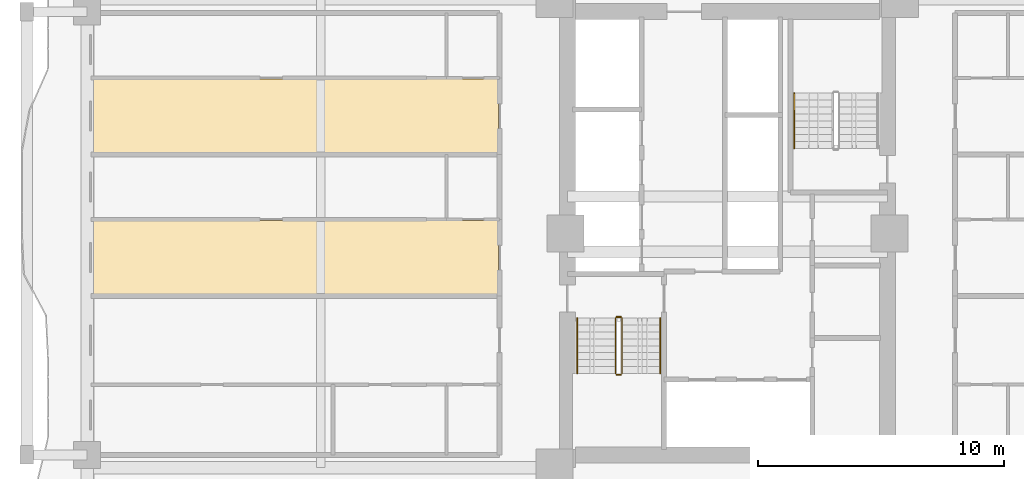
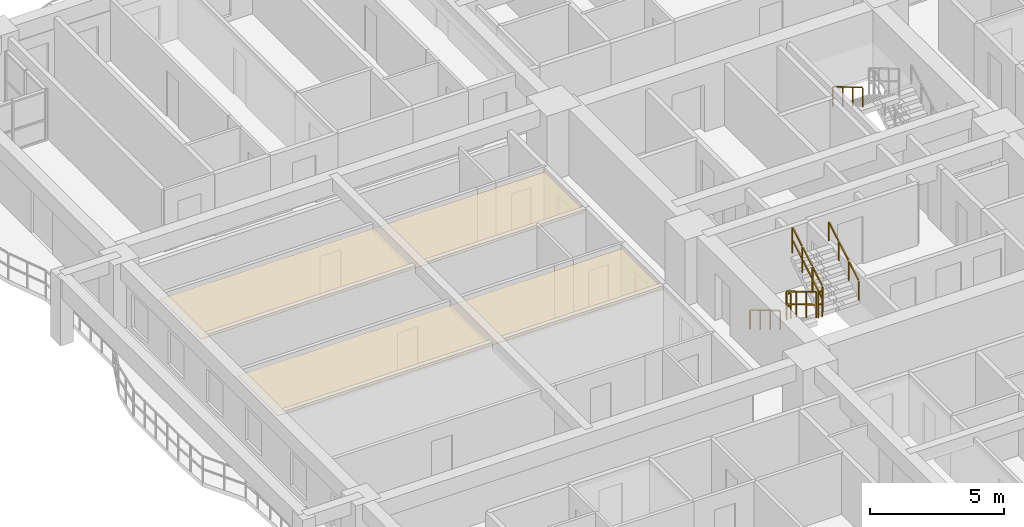
# One storey, part 25 of 28: 7 railings, 2 coverings.
"""IFC4 building model written with IfcOpenShell, lengths in metres."""

from ifc_helpers import new_model, si_unit, direction, frame, origin, origin_2d, place, context, subcontext, project, spatial, polyline, rectangle, outline, extrude, material, layer, layer_set, type_object, element, save


model = new_model("IFC4")

# Units and contexts
model_context = context("Model", 3, precision=1e-05, world=origin(), true_north=direction((0.0, 1.0)))
body_context = subcontext(model_context, "Body", "Model", "MODEL_VIEW")
ifc_project = project(units=[si_unit("LENGTHUNIT", "METRE"), si_unit("AREAUNIT", "SQUARE_METRE"), si_unit("VOLUMEUNIT", "CUBIC_METRE"), si_unit("PLANEANGLEUNIT", "RADIAN"), si_unit("MASSUNIT", "GRAM", prefix="KILO")], contexts=[model_context])

# Site, building, storey
site_placement = place(None, origin())
site = spatial("IfcSite", under=ifc_project, at=site_placement, CompositionType="ELEMENT")
building_placement = place(site_placement, origin())
building = spatial("IfcBuilding", under=site, at=building_placement, Name="Saelheon Loggia Tower", CompositionType="ELEMENT")
storey_placement = place(building_placement, frame((0.0, 0.0, 61.39990234375)))
storey = spatial("IfcBuildingStorey", under=building, at=storey_placement, Name="L19", CompositionType="ELEMENT", Elevation=61.39990234375)

# Coverings
ifc_material_1 = material(Name="Mineral-Fibre Acoustic Ceiling Board", Category="gypsum")
ifc_layer = layer(ifc_material_1, 0.02490234375)
ifc_layer_set = layer_set([ifc_layer], Name="Mineral-Fibre Acoustic Ceiling Board")
covering_type = type_object("IfcCoveringType", Name="Cov_Ceiling_Acoustic", PredefinedType="CEILING", material=ifc_layer_set)
covering_1_placement = place(storey_placement, frame((0.0, 0.0, 2.53515625)))
element("IfcCovering", 1, at=covering_1_placement, inside=storey, type_object=covering_type, Name="L19 Acoustic Suspended Ceiling", PredefinedType="CEILING", context=body_context, shape_type="SweptSolid", body=[
    extrude(outline(polyline([(12.199951171875, 24.511962890625), (28.699951171875, 24.511962890625), (28.699951171875, 27.513916015625), (12.199951171875, 27.513916015625), (12.199951171875, 24.511962890625)])), origin(), (0.0, 0.0, 1.0), 0.02490234375),
])
covering_2_placement = place(storey_placement, frame((0.0, 0.0, 2.53515625)))
element("IfcCovering", 2, at=covering_2_placement, inside=storey, type_object=covering_type, Name="L19 Acoustic Suspended Ceiling", PredefinedType="CEILING", context=body_context, shape_type="SweptSolid", body=[
    extrude(outline(polyline([(12.199951171875, 30.256103515625), (28.699951171875, 30.256103515625), (28.699951171875, 33.2578125), (12.199951171875, 33.2578125), (12.199951171875, 30.256103515625)])), origin(), (0.0, 0.0, 1.0), 0.02490234375),
])

# Railings
ifc_material_2 = material(Name="Galvanised Steel S275 Stairwell Guardrail", Category="steel")
railing_type_1 = type_object("IfcRailingType", Name="Guard_StairWell_RL_STG", PredefinedType="GUARDRAIL", material=ifc_material_2)
railing_1_placement = place(storey_placement, frame((33.4599609375, 23.550048828125, 0.166748046875)))
element("IfcRailing", 3, at=railing_1_placement, inside=storey, type_object=railing_type_1, Name="L19 ST1 stair guard 1", PredefinedType="GUARDRAIL", context=body_context, shape_type="SweptSolid", body=[
    extrude(rectangle(XDim=0.048095703125, YDim=0.048095703125, at=origin_2d()), frame((0.0, -0.028564453125, 1.19287109375), z_axis=(0.0, -0.859305625298, 0.511462454469), x_axis=(1.0, 0.0, 0.0)), (0.0, 0.0, 1.0), 0.802490234375),
    extrude(rectangle(XDim=0.048095703125, YDim=0.048095703125, at=origin_2d()), frame((0.0, -0.028564453125, 0.616943359375), z_axis=(0.0, -0.859305625298, 0.511462454469), x_axis=(1.0, 0.0, 0.0)), (0.0, 0.0, 1.0), 0.802490234375),
    extrude(rectangle(XDim=0.048095703125, YDim=0.048095703125, at=origin_2d()), frame((0.0, -0.775146484375, 1.63720703125), z_axis=(0.0, -0.859305625298, 0.511462454469), x_axis=(1.0, 0.0, 0.0)), (0.0, 0.0, 1.0), 0.802490234375),
    extrude(rectangle(XDim=0.048095703125, YDim=0.048095703125, at=origin_2d()), frame((0.0, -0.775146484375, 1.061279296875), z_axis=(0.0, -0.859305625298, 0.511462454469), x_axis=(1.0, 0.0, 0.0)), (0.0, 0.0, 1.0), 0.802490234375),
    extrude(rectangle(XDim=0.048095703125, YDim=0.048095703125, at=origin_2d()), frame((0.0, -1.52197265625, 2.081787109375), z_axis=(0.0, -0.859305625298, 0.511462454469), x_axis=(1.0, 0.0, 0.0)), (0.0, 0.0, 1.0), 0.802490234375),
    extrude(rectangle(XDim=0.048095703125, YDim=0.048095703125, at=origin_2d()), frame((0.0, -1.52197265625, 1.505859375), z_axis=(0.0, -0.859305625298, 0.511462454469), x_axis=(1.0, 0.0, 0.0)), (0.0, 0.0, 1.0), 0.802490234375),
    extrude(rectangle(XDim=0.0419921875, YDim=0.0419921875, at=origin_2d()), origin(), (0.0, 0.0, 1.0), 1.14794921875),
    extrude(rectangle(XDim=0.0419921875, YDim=0.0419921875, at=origin_2d()), frame((0.0, -0.74658203125, 0.4443359375)), (0.0, 0.0, 1.0), 1.14794921875),
    extrude(rectangle(XDim=0.0419921875, YDim=0.0419921875, at=origin_2d()), frame((0.0, -1.493408203125, 0.888916015625)), (0.0, 0.0, 1.0), 1.14794921875),
    extrude(rectangle(XDim=0.0419921875, YDim=0.0419921875, at=origin_2d()), frame((0.0, -2.239990234375, 1.333251953125)), (0.0, 0.0, 1.0), 1.14794921875),
])
railing_2_placement = place(storey_placement, frame((33.510009765625, 21.260009765625, 1.5)))
element("IfcRailing", 4, at=railing_2_placement, inside=storey, type_object=railing_type_1, Name="L19 ST1 stair guard 2", PredefinedType="GUARDRAIL", context=body_context, shape_type="SweptSolid", body=[
    extrude(rectangle(XDim=0.048095703125, YDim=0.048095703125, at=origin_2d()), frame((0.033203125, 0.0, 1.17578125), z_axis=(1.0, 0.0, 0.0), x_axis=(0.0, 1.0, 0.0)), (0.0, 0.0, 1.0), 0.093505859375),
    extrude(rectangle(XDim=0.048095703125, YDim=0.048095703125, at=origin_2d()), frame((0.033203125, 0.0, 0.60009765625), z_axis=(1.0, 0.0, 0.0), x_axis=(0.0, 1.0, 0.0)), (0.0, 0.0, 1.0), 0.093505859375),
    extrude(rectangle(XDim=0.0419921875, YDim=0.0419921875, at=origin_2d()), origin(), (0.0, 0.0, 1.0), 1.14794921875),
    extrude(rectangle(XDim=0.0419921875, YDim=0.0419921875, at=origin_2d()), frame((0.159912109375, 0.0, 0.0)), (0.0, 0.0, 1.0), 1.14794921875),
])
railing_3_placement = place(storey_placement, frame((33.719970703125, 21.31005859375, 1.666748046875)))
element("IfcRailing", 5, at=railing_3_placement, inside=storey, type_object=railing_type_1, Name="L19 ST1 stair guard 3", PredefinedType="GUARDRAIL", context=body_context, shape_type="SweptSolid", body=[
    extrude(rectangle(XDim=0.048095703125, YDim=0.048095703125, at=origin_2d()), frame((0.0, 0.028564453125, 1.19287109375), z_axis=(0.0, 0.859305625298, 0.511462454469), x_axis=(-1.0, 0.0, 0.0)), (0.0, 0.0, 1.0), 0.802490234375),
    extrude(rectangle(XDim=0.048095703125, YDim=0.048095703125, at=origin_2d()), frame((0.0, 0.028564453125, 0.616943359375), z_axis=(0.0, 0.859305625298, 0.511462454469), x_axis=(-1.0, 0.0, 0.0)), (0.0, 0.0, 1.0), 0.802490234375),
    extrude(rectangle(XDim=0.048095703125, YDim=0.048095703125, at=origin_2d()), frame((0.0, 0.775146484375, 1.63720703125), z_axis=(0.0, 0.859305625298, 0.511462454469), x_axis=(-1.0, 0.0, 0.0)), (0.0, 0.0, 1.0), 0.802490234375),
    extrude(rectangle(XDim=0.048095703125, YDim=0.048095703125, at=origin_2d()), frame((0.0, 0.775146484375, 1.061279296875), z_axis=(0.0, 0.859305625298, 0.511462454469), x_axis=(-1.0, 0.0, 0.0)), (0.0, 0.0, 1.0), 0.802490234375),
    extrude(rectangle(XDim=0.048095703125, YDim=0.048095703125, at=origin_2d()), frame((0.0, 1.52197265625, 2.081787109375), z_axis=(0.0, 0.859305625298, 0.511462454469), x_axis=(-1.0, 0.0, 0.0)), (0.0, 0.0, 1.0), 0.802490234375),
    extrude(rectangle(XDim=0.048095703125, YDim=0.048095703125, at=origin_2d()), frame((0.0, 1.52197265625, 1.505859375), z_axis=(0.0, 0.859305625298, 0.511462454469), x_axis=(-1.0, 0.0, 0.0)), (0.0, 0.0, 1.0), 0.802490234375),
    extrude(rectangle(XDim=0.0419921875, YDim=0.0419921875, at=origin_2d()), origin(), (0.0, 0.0, 1.0), 1.14794921875),
    extrude(rectangle(XDim=0.0419921875, YDim=0.0419921875, at=origin_2d()), frame((0.0, 0.74658203125, 0.4443359375)), (0.0, 0.0, 1.0), 1.14794921875),
    extrude(rectangle(XDim=0.0419921875, YDim=0.0419921875, at=origin_2d()), frame((0.0, 1.493408203125, 0.888916015625)), (0.0, 0.0, 1.0), 1.14794921875),
    extrude(rectangle(XDim=0.0419921875, YDim=0.0419921875, at=origin_2d()), frame((0.0, 2.239990234375, 1.333251953125)), (0.0, 0.0, 1.0), 1.14794921875),
])
railing_4_placement = place(storey_placement, frame((33.510009765625, 23.60009765625, 0.0)))
element("IfcRailing", 6, at=railing_4_placement, inside=storey, type_object=railing_type_1, Name="L19 ST1 stair guard 4", PredefinedType="GUARDRAIL", context=body_context, shape_type="SweptSolid", body=[
    extrude(rectangle(XDim=0.048095703125, YDim=0.048095703125, at=origin_2d()), frame((0.033203125, 0.0, 1.17578125), z_axis=(1.0, 0.0, 0.0), x_axis=(0.0, 1.0, 0.0)), (0.0, 0.0, 1.0), 0.093505859375),
    extrude(rectangle(XDim=0.048095703125, YDim=0.048095703125, at=origin_2d()), frame((0.033203125, 0.0, 0.60009765625), z_axis=(1.0, 0.0, 0.0), x_axis=(0.0, 1.0, 0.0)), (0.0, 0.0, 1.0), 0.093505859375),
    extrude(rectangle(XDim=0.0419921875, YDim=0.0419921875, at=origin_2d()), origin(), (0.0, 0.0, 1.0), 1.14794921875),
    extrude(rectangle(XDim=0.0419921875, YDim=0.0419921875, at=origin_2d()), frame((0.159912109375, 0.0, 0.0)), (0.0, 0.0, 1.0), 1.14794921875),
])
ifc_material_3 = material(Name="Stainless Steel 304 Tubular Handrail", Category="steel")
railing_type_2 = type_object("IfcRailingType", Name="Handrail_Stair_RL_HR1", PredefinedType="HANDRAIL", material=ifc_material_3)
railing_5_placement = place(storey_placement, frame((31.89990234375, 23.550048828125, 0.166748046875)))
element("IfcRailing", 7, at=railing_5_placement, inside=storey, type_object=railing_type_2, Name="L19 ST1 stair handrail 1", PredefinedType="HANDRAIL", context=body_context, shape_type="SweptSolid", body=[
    extrude(rectangle(XDim=0.048095703125, YDim=0.048095703125, at=origin_2d()), frame((0.0, -0.028564453125, 0.892822265625), z_axis=(0.0, -0.859305625298, 0.511462454469), x_axis=(1.0, 0.0, 0.0)), (0.0, 0.0, 1.0), 0.802490234375),
    extrude(rectangle(XDim=0.048095703125, YDim=0.048095703125, at=origin_2d()), frame((0.0, -0.775146484375, 1.337158203125), z_axis=(0.0, -0.859305625298, 0.511462454469), x_axis=(1.0, 0.0, 0.0)), (0.0, 0.0, 1.0), 0.802490234375),
    extrude(rectangle(XDim=0.048095703125, YDim=0.048095703125, at=origin_2d()), frame((0.0, -1.52197265625, 1.78173828125), z_axis=(0.0, -0.859305625298, 0.511462454469), x_axis=(1.0, 0.0, 0.0)), (0.0, 0.0, 1.0), 0.802490234375),
    extrude(rectangle(XDim=0.0419921875, YDim=0.0419921875, at=origin_2d()), origin(), (0.0, 0.0, 1.0), 0.847900390625),
    extrude(rectangle(XDim=0.0419921875, YDim=0.0419921875, at=origin_2d()), frame((0.0, -0.74658203125, 0.4443359375)), (0.0, 0.0, 1.0), 0.847900390625),
    extrude(rectangle(XDim=0.0419921875, YDim=0.0419921875, at=origin_2d()), frame((0.0, -1.493408203125, 0.888916015625)), (0.0, 0.0, 1.0), 0.847900390625),
    extrude(rectangle(XDim=0.0419921875, YDim=0.0419921875, at=origin_2d()), frame((0.0, -2.239990234375, 1.333251953125)), (0.0, 0.0, 1.0), 0.847900390625),
])
railing_6_placement = place(storey_placement, frame((35.280029296875, 21.31005859375, 1.666748046875)))
element("IfcRailing", 8, at=railing_6_placement, inside=storey, type_object=railing_type_2, Name="L19 ST1 stair handrail 2", PredefinedType="HANDRAIL", context=body_context, shape_type="SweptSolid", body=[
    extrude(rectangle(XDim=0.048095703125, YDim=0.048095703125, at=origin_2d()), frame((0.0, 0.028564453125, 0.892822265625), z_axis=(0.0, 0.859305625298, 0.511462454469), x_axis=(-1.0, 0.0, 0.0)), (0.0, 0.0, 1.0), 0.802490234375),
    extrude(rectangle(XDim=0.048095703125, YDim=0.048095703125, at=origin_2d()), frame((0.0, 0.775146484375, 1.337158203125), z_axis=(0.0, 0.859305625298, 0.511462454469), x_axis=(-1.0, 0.0, 0.0)), (0.0, 0.0, 1.0), 0.802490234375),
    extrude(rectangle(XDim=0.048095703125, YDim=0.048095703125, at=origin_2d()), frame((0.0, 1.52197265625, 1.78173828125), z_axis=(0.0, 0.859305625298, 0.511462454469), x_axis=(-1.0, 0.0, 0.0)), (0.0, 0.0, 1.0), 0.802490234375),
    extrude(rectangle(XDim=0.0419921875, YDim=0.0419921875, at=origin_2d()), origin(), (0.0, 0.0, 1.0), 0.847900390625),
    extrude(rectangle(XDim=0.0419921875, YDim=0.0419921875, at=origin_2d()), frame((0.0, 0.74658203125, 0.4443359375)), (0.0, 0.0, 1.0), 0.847900390625),
    extrude(rectangle(XDim=0.0419921875, YDim=0.0419921875, at=origin_2d()), frame((0.0, 1.493408203125, 0.888916015625)), (0.0, 0.0, 1.0), 0.847900390625),
    extrude(rectangle(XDim=0.0419921875, YDim=0.0419921875, at=origin_2d()), frame((0.0, 2.239990234375, 1.333251953125)), (0.0, 0.0, 1.0), 0.847900390625),
])
railing_7_placement = place(storey_placement, frame((40.719970703125, 32.68994140625, 1.666748046875)))
element("IfcRailing", 9, at=railing_7_placement, inside=storey, type_object=railing_type_2, Name="L19 ST2 stair handrail 2", PredefinedType="HANDRAIL", context=body_context, shape_type="SweptSolid", body=[
    extrude(rectangle(XDim=0.048095703125, YDim=0.048095703125, at=origin_2d()), frame((0.0, -0.028564453125, 0.892822265625), z_axis=(0.0, -0.859305625298, 0.511462454469), x_axis=(1.0, 0.0, 0.0)), (0.0, 0.0, 1.0), 0.802490234375),
    extrude(rectangle(XDim=0.048095703125, YDim=0.048095703125, at=origin_2d()), frame((0.0, -0.775146484375, 1.337158203125), z_axis=(0.0, -0.859305625298, 0.511462454469), x_axis=(1.0, 0.0, 0.0)), (0.0, 0.0, 1.0), 0.802490234375),
    extrude(rectangle(XDim=0.048095703125, YDim=0.048095703125, at=origin_2d()), frame((0.0, -1.52197265625, 1.78173828125), z_axis=(0.0, -0.859305625298, 0.511462454469), x_axis=(1.0, 0.0, 0.0)), (0.0, 0.0, 1.0), 0.802490234375),
    extrude(rectangle(XDim=0.0419921875, YDim=0.0419921875, at=origin_2d()), origin(), (0.0, 0.0, 1.0), 0.847900390625),
    extrude(rectangle(XDim=0.0419921875, YDim=0.0419921875, at=origin_2d()), frame((0.0, -0.74658203125, 0.4443359375)), (0.0, 0.0, 1.0), 0.847900390625),
    extrude(rectangle(XDim=0.0419921875, YDim=0.0419921875, at=origin_2d()), frame((0.0, -1.493408203125, 0.888916015625)), (0.0, 0.0, 1.0), 0.847900390625),
    extrude(rectangle(XDim=0.0419921875, YDim=0.0419921875, at=origin_2d()), frame((0.0, -2.239990234375, 1.333251953125)), (0.0, 0.0, 1.0), 0.847900390625),
])

save(model, "model.ifc")
